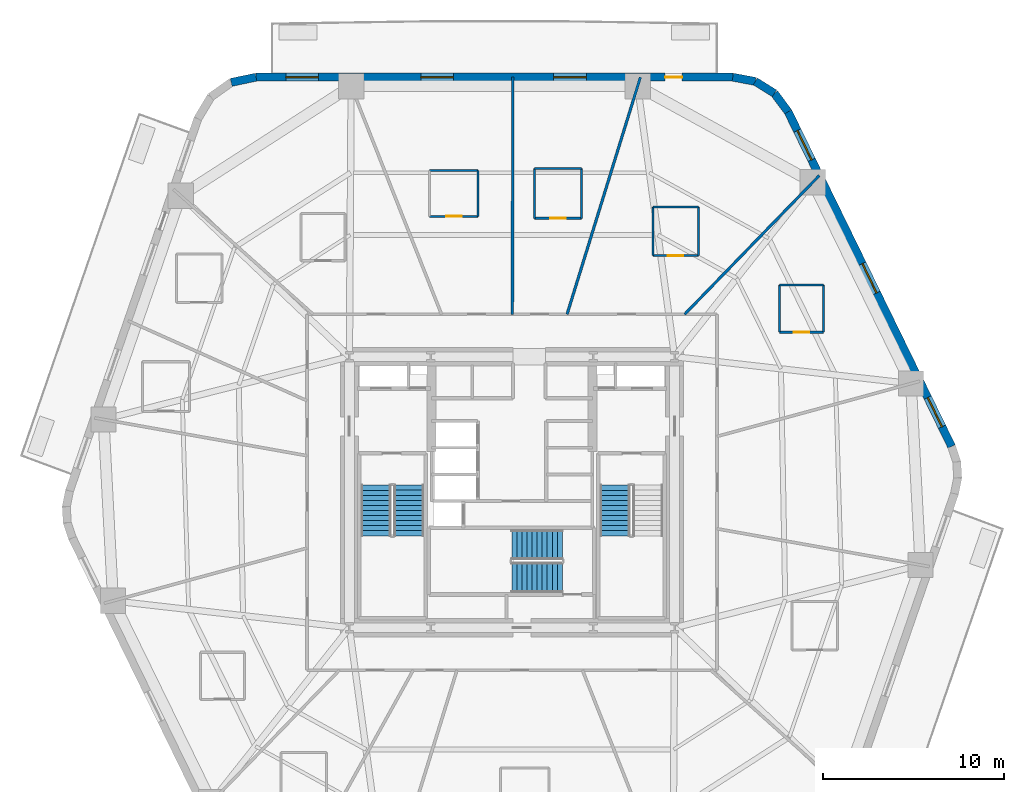
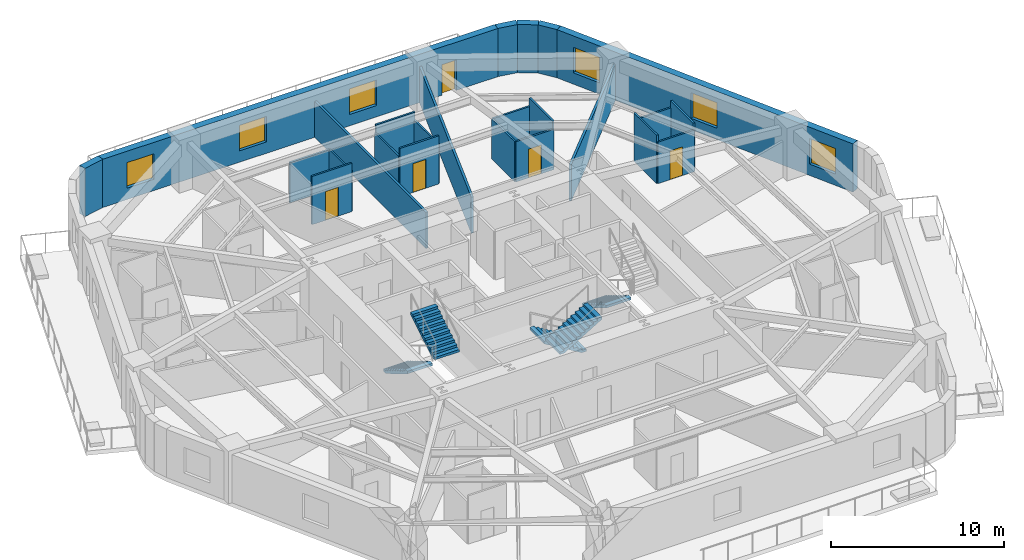
# One storey, part 6 of 10: 24 walls, 6 windows, 5 doors, 5 stair flights, 11 openings, 3 elements without a shape of their own.
"""IFC4 building model written with IfcOpenShell, lengths in metres."""

from ifc_helpers import new_model, si_unit, direction, frame, frame_2d, origin, place, context, subcontext, project, spatial, polyline, rectangle, outline, extrude, material, layer, layer_set, type_object, element, fill, aggregate, save


model = new_model("IFC4")

# Units and contexts
model_context = context("Model", 3, precision=1e-05, world=origin(), true_north=direction((0.0, 1.0)))
body_context = subcontext(model_context, "Body", "Model", "MODEL_VIEW")
ifc_project = project(units=[si_unit("LENGTHUNIT", "METRE"), si_unit("AREAUNIT", "SQUARE_METRE"), si_unit("VOLUMEUNIT", "CUBIC_METRE"), si_unit("PLANEANGLEUNIT", "RADIAN"), si_unit("MASSUNIT", "GRAM", prefix="KILO")], contexts=[model_context])

# Site, building, storey
site_placement = place(None, origin())
site = spatial("IfcSite", under=ifc_project, at=site_placement, CompositionType="ELEMENT")
building_placement = place(site_placement, origin())
building = spatial("IfcBuilding", under=site, at=building_placement, Name="Kilnhurst Terrace Hotel", CompositionType="ELEMENT")
storey_placement = place(building_placement, frame((0.0, 0.0, 74.89990234375)))
storey = spatial("IfcBuildingStorey", under=building, at=storey_placement, Name="L17", CompositionType="ELEMENT", Elevation=74.89990234375)

# Walls
ifc_material_1 = material(Name="Precast concrete C40/50", Category="concrete")
ifc_layer_1 = layer(ifc_material_1, 0.449951171875, Name="Precast concrete C40/50")
ifc_layer_set_1 = layer_set([ifc_layer_1], Name="Precast concrete C40/50")
wall_type_1 = type_object("IfcWallType", Name="WL-BRK-450", PredefinedType="SOLIDWALL", material=ifc_layer_set_1)
wall_1_placement = place(storey_placement, frame((15.28369140625, 21.0625, 0.0), z_axis=(0.0, 0.0, 1.0), x_axis=(-0.597595366449, 0.801797841104, 0.0)))
element("IfcWall", 1, at=wall_1_placement, inside=storey, type_object=wall_type_1, Name="L17 Rounded Corner Brick Wall C4.1", PredefinedType="SOLIDWALL", context=body_context, shape_type="SweptSolid", body=[
    extrude(rectangle(XDim=1.2685546875, YDim=0.449951171875, at=frame_2d((0.63427734375, 0.0))), origin(), (0.0, 0.0, 1.0), 3.400146484375),
])
wall_2_placement = place(storey_placement, frame((14.525634765625, 22.07958984375, 0.0), z_axis=(0.0, 0.0, 1.0), x_axis=(-0.848185203596, 0.529699783275, 0.0)))
element("IfcWall", 2, at=wall_2_placement, inside=storey, type_object=wall_type_1, Name="L17 Rounded Corner Brick Wall C4.2", PredefinedType="SOLIDWALL", context=body_context, shape_type="SweptSolid", body=[
    extrude(rectangle(XDim=1.247314453125, YDim=0.449951171875, at=frame_2d((0.62353515625, 0.0))), origin(), (0.0, 0.0, 1.0), 3.400146484375),
])
wall_3_placement = place(storey_placement, frame((13.4677734375, 22.740234375, 0.0), z_axis=(0.0, 0.0, 1.0), x_axis=(-0.982717174228, 0.185113358451, 0.0)))
element("IfcWall", 3, at=wall_3_placement, inside=storey, type_object=wall_type_1, Name="L17 Rounded Corner Brick Wall C4.3", PredefinedType="SOLIDWALL", context=body_context, shape_type="SweptSolid", body=[
    extrude(rectangle(XDim=1.268798828125, YDim=0.449951171875, at=frame_2d((0.63427734375, 0.0))), origin(), (0.0, 0.0, 1.0), 3.400146484375),
])
wall_4_placement = place(storey_placement, frame((-14.168212890625, 22.97509765625, 0.0), z_axis=(0.0, 0.0, 1.0), x_axis=(-0.978770371074, -0.204959900243, 0.0)))
element("IfcWall", 4, at=wall_4_placement, inside=storey, type_object=wall_type_1, Name="L17 Rounded Corner Brick Wall C5.1", PredefinedType="SOLIDWALL", context=body_context, shape_type="SweptSolid", body=[
    extrude(rectangle(XDim=1.405517578125, YDim=0.449951171875, at=frame_2d((0.70263671875, 0.0))), origin(), (0.0, 0.0, 1.0), 3.400146484375),
])

# Wall, openings, windows
wall_5_placement = place(storey_placement, frame((24.335693359375, 2.532470703125, 0.0), z_axis=(0.0, 0.0, 1.0), x_axis=(-0.438931326393, 0.898520612291, 0.0)))
wall_5 = element("IfcWall", 5, at=wall_5_placement, inside=storey, type_object=wall_type_1, Name="L17 Exterior Brick Facade Wall F3", PredefinedType="SOLIDWALL", context=body_context, shape_type="SweptSolid", body=[
    extrude(rectangle(XDim=20.622802734375, YDim=0.449951171875, at=frame_2d((10.3115234375, 0.0))), origin(), (0.0, 0.0, 1.0), 3.400146484375),
])
opening_1_placement = place(wall_5_placement, frame((9.4619140625, 0.0, 0.800048828125)))
opening_1 = element("IfcOpeningElement", 6, at=opening_1_placement, cuts=wall_5, Name="Opening W-01", PredefinedType="OPENING", context=body_context, shape_type="SweptSolid", body=[
    extrude(rectangle(XDim=1.800048828125, YDim=1.800048828125, at=frame_2d((0.89990234375, 0.89990234375))), frame((0.0, 0.23486328125, 0.0), z_axis=(0.0, -1.0, 0.0), x_axis=(1.0, 0.0, 0.0)), (0.0, 0.0, 1.0), 0.469970703125),
])
opening_2_placement = place(wall_5_placement, frame((17.659912109375, 0.0, 0.800048828125)))
opening_2 = element("IfcOpeningElement", 7, at=opening_2_placement, cuts=wall_5, Name="Opening W-01", PredefinedType="OPENING", context=body_context, shape_type="SweptSolid", body=[
    extrude(rectangle(XDim=1.800048828125, YDim=1.800048828125, at=frame_2d((0.89990234375, 0.89990234375))), frame((0.0, 0.23486328125, 0.0), z_axis=(0.0, -1.0, 0.0), x_axis=(1.0, 0.0, 0.0)), (0.0, 0.0, 1.0), 0.469970703125),
])
opening_3_placement = place(wall_5_placement, frame((1.214111328125, 0.0, 0.800048828125)))
opening_3 = element("IfcOpeningElement", 8, at=opening_3_placement, cuts=wall_5, Name="Opening W-01", PredefinedType="OPENING", context=body_context, shape_type="SweptSolid", body=[
    extrude(rectangle(XDim=1.800048828125, YDim=1.800048828125, at=frame_2d((0.89990234375, 0.89990234375))), frame((0.0, 0.23486328125, 0.0), z_axis=(0.0, -1.0, 0.0), x_axis=(1.0, 0.0, 0.0)), (0.0, 0.0, 1.0), 0.469970703125),
])
ifc_material_2 = material(Name="Thermally Broken Bronze Aluminium Alloy 6063-T6 and Low-E Glass", Category="aluminium")
window_type = type_object("IfcWindowType", Name="WIN-1800X1800", PartitioningType="SINGLE_PANEL", PredefinedType="WINDOW", material=ifc_material_2)
window_1_placement = place(opening_1_placement, origin())
window_1 = element("IfcWindow", 9, at=window_1_placement, inside=storey, type_object=window_type, Name="L17 Deep-Set Masonry Window F3.1", OverallHeight=1.800048828125, OverallWidth=1.800048828125, PartitioningType="SINGLE_PANEL", PredefinedType="WINDOW", context=body_context, shape_type="SweptSolid", body=[
    extrude(rectangle(XDim=1.800048828125, YDim=1.800048828125, at=frame_2d((0.89990234375, 0.89990234375))), frame((0.0, 0.030029296875, 0.0), z_axis=(0.0, -1.0, 0.0), x_axis=(1.0, 0.0, 0.0)), (0.0, 0.0, 1.0), 0.06005859375),
])
fill(opening_1, window_1)
window_2_placement = place(opening_2_placement, origin())
window_2 = element("IfcWindow", 10, at=window_2_placement, inside=storey, type_object=window_type, Name="L17 Deep-Set Masonry Window F3.2", OverallHeight=1.800048828125, OverallWidth=1.800048828125, PartitioningType="SINGLE_PANEL", PredefinedType="WINDOW", context=body_context, shape_type="SweptSolid", body=[
    extrude(rectangle(XDim=1.800048828125, YDim=1.800048828125, at=frame_2d((0.89990234375, 0.89990234375))), frame((0.0, 0.030029296875, 0.0), z_axis=(0.0, -1.0, 0.0), x_axis=(1.0, 0.0, 0.0)), (0.0, 0.0, 1.0), 0.06005859375),
])
fill(opening_2, window_2)
window_3_placement = place(opening_3_placement, origin())
window_3 = element("IfcWindow", 11, at=window_3_placement, inside=storey, type_object=window_type, Name="L17 Deep-Set Masonry Window F3.3", OverallHeight=1.800048828125, OverallWidth=1.800048828125, PartitioningType="SINGLE_PANEL", PredefinedType="WINDOW", context=body_context, shape_type="SweptSolid", body=[
    extrude(rectangle(XDim=1.800048828125, YDim=1.800048828125, at=frame_2d((0.89990234375, 0.89990234375))), frame((0.0, 0.030029296875, 0.0), z_axis=(0.0, -1.0, 0.0), x_axis=(1.0, 0.0, 0.0)), (0.0, 0.0, 1.0), 0.06005859375),
])
fill(opening_3, window_3)

# Wall, openings, door, windows
wall_6_placement = place(storey_placement, frame((12.220947265625, 22.97509765625, 0.0), z_axis=(0.0, 0.0, 1.0), x_axis=(-1.0, 0.0, 0.0)))
wall_6 = element("IfcWall", 12, at=wall_6_placement, inside=storey, type_object=wall_type_1, Name="L17 Exterior Brick Facade Wall F4", PredefinedType="SOLIDWALL", context=body_context, shape_type="SweptSolid", body=[
    extrude(rectangle(XDim=26.38916015625, YDim=0.449951171875, at=frame_2d((13.194580078125, 0.0))), origin(), (0.0, 0.0, 1.0), 3.400146484375),
])
opening_4_placement = place(wall_6_placement, frame((2.799072265625, 0.0, 0.0)))
opening_4 = element("IfcOpeningElement", 13, at=opening_4_placement, cuts=wall_6, Name="Opening BD-950", PredefinedType="OPENING", context=body_context, shape_type="SweptSolid", body=[
    extrude(rectangle(XDim=0.949951171875, YDim=2.14990234375, at=frame_2d((0.47509765625, 1.074951171875))), frame((0.0, 0.23486328125, 0.0), z_axis=(0.0, -1.0, 0.0), x_axis=(1.0, 0.0, 0.0)), (0.0, 0.0, 1.0), 0.469970703125),
])
opening_5_placement = place(wall_6_placement, frame((8.110107421875, 0.0, 0.800048828125)))
opening_5 = element("IfcOpeningElement", 14, at=opening_5_placement, cuts=wall_6, Name="Opening W-01", PredefinedType="OPENING", context=body_context, shape_type="SweptSolid", body=[
    extrude(rectangle(XDim=1.800048828125, YDim=1.800048828125, at=frame_2d((0.89990234375, 0.89990234375))), frame((0.0, 0.23486328125, 0.0), z_axis=(0.0, -1.0, 0.0), x_axis=(1.0, 0.0, 0.0)), (0.0, 0.0, 1.0), 0.469970703125),
])
opening_6_placement = place(wall_6_placement, frame((15.4599609375, 0.0, 0.800048828125)))
opening_6 = element("IfcOpeningElement", 15, at=opening_6_placement, cuts=wall_6, Name="Opening W-01", PredefinedType="OPENING", context=body_context, shape_type="SweptSolid", body=[
    extrude(rectangle(XDim=1.800048828125, YDim=1.800048828125, at=frame_2d((0.89990234375, 0.89990234375))), frame((0.0, 0.23486328125, 0.0), z_axis=(0.0, -1.0, 0.0), x_axis=(1.0, 0.0, 0.0)), (0.0, 0.0, 1.0), 0.469970703125),
])
opening_7_placement = place(wall_6_placement, frame((22.93798828125, 0.0, 0.800048828125)))
opening_7 = element("IfcOpeningElement", 16, at=opening_7_placement, cuts=wall_6, Name="Opening W-01", PredefinedType="OPENING", context=body_context, shape_type="SweptSolid", body=[
    extrude(rectangle(XDim=1.800048828125, YDim=1.800048828125, at=frame_2d((0.89990234375, 0.89990234375))), frame((0.0, 0.23486328125, 0.0), z_axis=(0.0, -1.0, 0.0), x_axis=(1.0, 0.0, 0.0)), (0.0, 0.0, 1.0), 0.469970703125),
])
ifc_material_3 = material(Name="Thermally Broken Bronze Aluminium Alloy 6063-T6 and Laminated Glass", Category="aluminium")
door_type_1 = type_object("IfcDoorType", Name="DR-EXT-BAL-950", OperationType="NOTDEFINED", PredefinedType="DOOR", material=ifc_material_3)
door_1_placement = place(opening_4_placement, origin())
door_1 = element("IfcDoor", 17, at=door_1_placement, inside=storey, type_object=door_type_1, Name="L17 Planted Balcony Door BAL-L2A", OperationType="SINGLE_SWING_RIGHT", OverallHeight=2.14990234375, OverallWidth=0.949951171875, PredefinedType="DOOR", context=body_context, shape_type="SweptSolid", body=[
    extrude(rectangle(XDim=0.949951171875, YDim=2.14990234375, at=frame_2d((0.47509765625, 1.074951171875))), frame((0.0, 0.02490234375, 0.0), z_axis=(0.0, -1.0, 0.0), x_axis=(1.0, 0.0, 0.0)), (0.0, 0.0, 1.0), 0.050048828125),
])
fill(opening_4, door_1)
window_4_placement = place(opening_5_placement, origin())
window_4 = element("IfcWindow", 18, at=window_4_placement, inside=storey, type_object=window_type, Name="L17 Deep-Set Masonry Window F4.1", OverallHeight=1.800048828125, OverallWidth=1.800048828125, PartitioningType="SINGLE_PANEL", PredefinedType="WINDOW", context=body_context, shape_type="SweptSolid", body=[
    extrude(rectangle(XDim=1.800048828125, YDim=1.800048828125, at=frame_2d((0.89990234375, 0.89990234375))), frame((0.0, 0.030029296875, 0.0), z_axis=(0.0, -1.0, 0.0), x_axis=(1.0, 0.0, 0.0)), (0.0, 0.0, 1.0), 0.06005859375),
])
fill(opening_5, window_4)
window_5_placement = place(opening_6_placement, origin())
window_5 = element("IfcWindow", 19, at=window_5_placement, inside=storey, type_object=window_type, Name="L17 Deep-Set Masonry Window F4.2", OverallHeight=1.800048828125, OverallWidth=1.800048828125, PartitioningType="SINGLE_PANEL", PredefinedType="WINDOW", context=body_context, shape_type="SweptSolid", body=[
    extrude(rectangle(XDim=1.800048828125, YDim=1.800048828125, at=frame_2d((0.89990234375, 0.89990234375))), frame((0.0, 0.030029296875, 0.0), z_axis=(0.0, -1.0, 0.0), x_axis=(1.0, 0.0, 0.0)), (0.0, 0.0, 1.0), 0.06005859375),
])
fill(opening_6, window_5)
window_6_placement = place(opening_7_placement, origin())
window_6 = element("IfcWindow", 20, at=window_6_placement, inside=storey, type_object=window_type, Name="L17 Deep-Set Masonry Window F4.3", OverallHeight=1.800048828125, OverallWidth=1.800048828125, PartitioningType="SINGLE_PANEL", PredefinedType="WINDOW", context=body_context, shape_type="SweptSolid", body=[
    extrude(rectangle(XDim=1.800048828125, YDim=1.800048828125, at=frame_2d((0.89990234375, 0.89990234375))), frame((0.0, 0.030029296875, 0.0), z_axis=(0.0, -1.0, 0.0), x_axis=(1.0, 0.0, 0.0)), (0.0, 0.0, 1.0), 0.06005859375),
])
fill(opening_7, window_6)

# Walls
ifc_material_4 = material(Name="STC-58 Acoustic Twin-Frame Guestroom Demising Partition")
ifc_layer_2 = layer(ifc_material_4, 0.14990234375, Name="STC-58 Acoustic Twin-Frame Guestroom Demising Partition")
ifc_layer_set_2 = layer_set([ifc_layer_2], Name="STC-58 Acoustic Twin-Frame Guestroom Demising Partition")
wall_type_2 = type_object("IfcWallType", Name="WL-DEM-150", PredefinedType="PARTITIONING", material=ifc_layer_set_2)
wall_7_placement = place(storey_placement, frame((9.5576171875, 9.85009765625, 0.0), z_axis=(0.0, 0.0, 1.0), x_axis=(0.69638346089, 0.717669893056, 0.0)))
element("IfcWall", 21, at=wall_7_placement, inside=storey, type_object=wall_type_2, Name="L17 Interior Wall WL-L17-DEM-COL02-02-1", PredefinedType="PARTITIONING", context=body_context, shape_type="SweptSolid", body=[
    extrude(rectangle(XDim=10.700927734375, YDim=0.14990234375, at=frame_2d((5.3505859375, 0.0))), origin(), (0.0, 0.0, 1.0), 2.5400390625),
])
wall_8_placement = place(storey_placement, frame((3.047607421875, 9.85009765625, 0.0), z_axis=(0.0, 0.0, 1.0), x_axis=(0.295553992761, 0.955326037206, 0.0)))
element("IfcWall", 22, at=wall_8_placement, inside=storey, type_object=wall_type_2, Name="L17 Interior Wall WL-L17-DEM-COL03-03-1", PredefinedType="PARTITIONING", context=body_context, shape_type="SweptSolid", body=[
    extrude(rectangle(XDim=13.73876953125, YDim=0.14990234375, at=frame_2d((6.869384765625, 0.0))), origin(), (0.0, 0.0, 1.0), 2.5400390625),
])
wall_9_placement = place(storey_placement, frame((0.0205078125, 9.85009765625, 0.0), z_axis=(0.0, 0.0, 1.0), x_axis=(0.002064727742, 0.999997868447, 0.0)))
element("IfcWall", 23, at=wall_9_placement, inside=storey, type_object=wall_type_2, Name="L17 Interior Wall WL-L17-DEM-MID03-04-1", PredefinedType="PARTITIONING", context=body_context, shape_type="SweptSolid", body=[
    extrude(rectangle(XDim=13.125, YDim=0.14990234375, at=frame_2d((6.5625, 0.0))), origin(), (0.0, 0.0, 1.0), 2.5400390625),
])

# Wall, opening, door
ifc_material_5 = material(Name="120 mm Moisture-Resistant Tile-Backed Bathroom Partition")
ifc_layer_3 = layer(ifc_material_5, 0.1201171875, Name="120 mm Moisture-Resistant Tile-Backed Bathroom Partition")
ifc_layer_set_3 = layer_set([ifc_layer_3], Name="120 mm Moisture-Resistant Tile-Backed Bathroom Partition")
wall_type_3 = type_object("IfcWallType", Name="WL-PART-120", PredefinedType="PARTITIONING", material=ifc_layer_set_3)
wall_10_placement = place(storey_placement, frame((14.803955078125, 8.860107421875, 0.0), z_axis=(0.0, 0.0, 1.0), x_axis=(1.0, 0.0, 0.0)))
wall_10 = element("IfcWall", 24, at=wall_10_placement, inside=storey, type_object=wall_type_3, Name="L17 Interior Wall WL-L17-BTH-01-1", PredefinedType="PARTITIONING", context=body_context, shape_type="SweptSolid", body=[
    extrude(rectangle(XDim=2.43994140625, YDim=0.1201171875, at=frame_2d((1.219970703125, 0.0))), origin(), (0.0, 0.0, 1.0), 2.926513671875),
])
opening_8_placement = place(wall_10_placement, frame((0.794921875, 0.0, 0.0)))
opening_8 = element("IfcOpeningElement", 25, at=opening_8_placement, cuts=wall_10, Name="Opening D-08A", PredefinedType="OPENING", context=body_context, shape_type="SweptSolid", body=[
    extrude(rectangle(XDim=0.85009765625, YDim=2.030029296875, at=frame_2d((0.425048828125, 1.01513671875))), frame((0.0, 0.070068359375, 0.0), z_axis=(0.0, -1.0, 0.0), x_axis=(1.0, 0.0, 0.0)), (0.0, 0.0, 1.0), 0.14013671875),
])
ifc_material_6 = material(Name="Moisture-Resistant Lacquered En-suite Bathroom Door")
door_type_2 = type_object("IfcDoorType", Name="DR-INT-850", OperationType="NOTDEFINED", PredefinedType="DOOR", material=ifc_material_6)
door_2_placement = place(opening_8_placement, origin())
door_2 = element("IfcDoor", 26, at=door_2_placement, inside=storey, type_object=door_type_2, Name="L17 En-suite Bathroom Door 1", OperationType="SINGLE_SWING_RIGHT", OverallHeight=2.030029296875, OverallWidth=0.85009765625, PredefinedType="DOOR", context=body_context, shape_type="SweptSolid", body=[
    extrude(rectangle(XDim=0.85009765625, YDim=2.030029296875, at=frame_2d((0.425048828125, 1.01513671875))), frame((0.0, 0.02490234375, 0.0), z_axis=(0.0, -1.0, 0.0), x_axis=(1.0, 0.0, 0.0)), (0.0, 0.0, 1.0), 0.050048828125),
])
fill(opening_8, door_2)

# Walls
wall_11_placement = place(storey_placement, frame((17.243896484375, 8.860107421875, 0.0), z_axis=(0.0, 0.0, 1.0), x_axis=(0.0, 1.0, 0.0)))
element("IfcWall", 27, at=wall_11_placement, inside=storey, type_object=wall_type_3, Name="L17 Interior Wall WL-L17-BTH-01-2", PredefinedType="PARTITIONING", context=body_context, shape_type="SweptSolid", body=[
    extrude(rectangle(XDim=2.60986328125, YDim=0.1201171875, at=frame_2d((1.304931640625, 0.0))), origin(), (0.0, 0.0, 1.0), 3.400146484375),
])
wall_12_placement = place(storey_placement, frame((17.243896484375, 11.469970703125, 0.0), z_axis=(0.0, 0.0, 1.0), x_axis=(-1.0, 0.0, 0.0)))
element("IfcWall", 28, at=wall_12_placement, inside=storey, type_object=wall_type_3, Name="L17 Interior Wall WL-L17-BTH-01-3", PredefinedType="PARTITIONING", context=body_context, shape_type="SweptSolid", body=[
    extrude(rectangle(XDim=2.43994140625, YDim=0.1201171875, at=frame_2d((1.219970703125, 0.0))), origin(), (0.0, 0.0, 1.0), 2.926513671875),
])
wall_13_placement = place(storey_placement, frame((14.803955078125, 11.469970703125, 0.0), z_axis=(0.0, 0.0, 1.0), x_axis=(0.0, -1.0, 0.0)))
element("IfcWall", 29, at=wall_13_placement, inside=storey, type_object=wall_type_3, Name="L17 Interior Wall WL-L17-BTH-01-4", PredefinedType="PARTITIONING", context=body_context, shape_type="SweptSolid", body=[
    extrude(rectangle(XDim=2.60986328125, YDim=0.1201171875, at=frame_2d((1.304931640625, 0.0))), origin(), (0.0, 0.0, 1.0), 3.400146484375),
])

# Wall, opening, door
wall_14_placement = place(storey_placement, frame((7.798095703125, 13.10107421875, 0.0), z_axis=(0.0, 0.0, 1.0), x_axis=(1.0, 0.0, 0.0)))
wall_14 = element("IfcWall", 30, at=wall_14_placement, inside=storey, type_object=wall_type_3, Name="L17 Interior Wall WL-L17-BTH-02-1", PredefinedType="PARTITIONING", context=body_context, shape_type="SweptSolid", body=[
    extrude(rectangle(XDim=2.52001953125, YDim=0.1201171875, at=frame_2d((1.260009765625, 0.0))), origin(), (0.0, 0.0, 1.0), 2.840087890625),
])
opening_9_placement = place(wall_14_placement, frame((0.8349609375, 0.0, 0.0)))
opening_9 = element("IfcOpeningElement", 31, at=opening_9_placement, cuts=wall_14, Name="Opening D-08A", PredefinedType="OPENING", context=body_context, shape_type="SweptSolid", body=[
    extrude(rectangle(XDim=0.85009765625, YDim=2.030029296875, at=frame_2d((0.425048828125, 1.01513671875))), frame((0.0, 0.070068359375, 0.0), z_axis=(0.0, -1.0, 0.0), x_axis=(1.0, 0.0, 0.0)), (0.0, 0.0, 1.0), 0.14013671875),
])
door_3_placement = place(opening_9_placement, origin())
door_3 = element("IfcDoor", 32, at=door_3_placement, inside=storey, type_object=door_type_2, Name="L17 En-suite Bathroom Door 2", OperationType="SINGLE_SWING_LEFT", OverallHeight=2.030029296875, OverallWidth=0.85009765625, PredefinedType="DOOR", context=body_context, shape_type="SweptSolid", body=[
    extrude(rectangle(XDim=0.85009765625, YDim=2.030029296875, at=frame_2d((0.425048828125, 1.01513671875))), frame((0.0, 0.02490234375, 0.0), z_axis=(0.0, -1.0, 0.0), x_axis=(1.0, 0.0, 0.0)), (0.0, 0.0, 1.0), 0.050048828125),
])
fill(opening_9, door_3)

# Walls
wall_15_placement = place(storey_placement, frame((10.318115234375, 13.10107421875, 0.0), z_axis=(0.0, 0.0, 1.0), x_axis=(0.0, 1.0, 0.0)))
element("IfcWall", 33, at=wall_15_placement, inside=storey, type_object=wall_type_3, Name="L17 Interior Wall WL-L17-BTH-02-2", PredefinedType="PARTITIONING", context=body_context, shape_type="SweptSolid", body=[
    extrude(rectangle(XDim=2.679931640625, YDim=0.1201171875, at=frame_2d((1.33984375, 0.0))), origin(), (0.0, 0.0, 1.0), 3.400146484375),
])
wall_16_placement = place(storey_placement, frame((10.318115234375, 15.781005859375, 0.0), z_axis=(0.0, 0.0, 1.0), x_axis=(-1.0, 0.0, 0.0)))
element("IfcWall", 34, at=wall_16_placement, inside=storey, type_object=wall_type_3, Name="L17 Interior Wall WL-L17-BTH-02-3", PredefinedType="PARTITIONING", context=body_context, shape_type="SweptSolid", body=[
    extrude(rectangle(XDim=2.52001953125, YDim=0.1201171875, at=frame_2d((1.260009765625, 0.0))), origin(), (0.0, 0.0, 1.0), 2.840087890625),
])
wall_17_placement = place(storey_placement, frame((7.798095703125, 15.781005859375, 0.0), z_axis=(0.0, 0.0, 1.0), x_axis=(0.0, -1.0, 0.0)))
element("IfcWall", 35, at=wall_17_placement, inside=storey, type_object=wall_type_3, Name="L17 Interior Wall WL-L17-BTH-02-4", PredefinedType="PARTITIONING", context=body_context, shape_type="SweptSolid", body=[
    extrude(rectangle(XDim=2.679931640625, YDim=0.1201171875, at=frame_2d((1.33984375, 0.0))), origin(), (0.0, 0.0, 1.0), 2.840087890625),
])

# Wall, opening, door
wall_18_placement = place(storey_placement, frame((1.2509765625, 15.162109375, 0.0), z_axis=(0.0, 0.0, 1.0), x_axis=(1.0, 0.0, 0.0)))
wall_18 = element("IfcWall", 36, at=wall_18_placement, inside=storey, type_object=wall_type_3, Name="L17 Interior Wall WL-L17-BTH-03-1", PredefinedType="PARTITIONING", context=body_context, shape_type="SweptSolid", body=[
    extrude(rectangle(XDim=2.60009765625, YDim=0.1201171875, at=frame_2d((1.300048828125, 0.0))), origin(), (0.0, 0.0, 1.0), 3.400146484375),
])
opening_10_placement = place(wall_18_placement, frame((0.875, 0.0, 0.0)))
opening_10 = element("IfcOpeningElement", 37, at=opening_10_placement, cuts=wall_18, Name="Opening D-08A", PredefinedType="OPENING", context=body_context, shape_type="SweptSolid", body=[
    extrude(rectangle(XDim=0.85009765625, YDim=2.030029296875, at=frame_2d((0.425048828125, 1.01513671875))), frame((0.0, 0.070068359375, 0.0), z_axis=(0.0, -1.0, 0.0), x_axis=(1.0, 0.0, 0.0)), (0.0, 0.0, 1.0), 0.14013671875),
])
door_4_placement = place(opening_10_placement, origin())
door_4 = element("IfcDoor", 38, at=door_4_placement, inside=storey, type_object=door_type_2, Name="L17 En-suite Bathroom Door 3", OperationType="SINGLE_SWING_RIGHT", OverallHeight=2.030029296875, OverallWidth=0.85009765625, PredefinedType="DOOR", context=body_context, shape_type="SweptSolid", body=[
    extrude(rectangle(XDim=0.85009765625, YDim=2.030029296875, at=frame_2d((0.425048828125, 1.01513671875))), frame((0.0, 0.02490234375, 0.0), z_axis=(0.0, -1.0, 0.0), x_axis=(1.0, 0.0, 0.0)), (0.0, 0.0, 1.0), 0.050048828125),
])
fill(opening_10, door_4)

# Walls
wall_19_placement = place(storey_placement, frame((3.85107421875, 15.162109375, 0.0), z_axis=(0.0, 0.0, 1.0), x_axis=(0.0, 1.0, 0.0)))
element("IfcWall", 39, at=wall_19_placement, inside=storey, type_object=wall_type_3, Name="L17 Interior Wall WL-L17-BTH-03-2", PredefinedType="PARTITIONING", context=body_context, shape_type="SweptSolid", body=[
    extrude(rectangle(XDim=2.75, YDim=0.1201171875, at=frame_2d((1.375, 0.0))), origin(), (0.0, 0.0, 1.0), 2.840576171875),
])
wall_20_placement = place(storey_placement, frame((3.85107421875, 17.912109375, 0.0), z_axis=(0.0, 0.0, 1.0), x_axis=(-1.0, 0.0, 0.0)))
element("IfcWall", 40, at=wall_20_placement, inside=storey, type_object=wall_type_3, Name="L17 Interior Wall WL-L17-BTH-03-3", PredefinedType="PARTITIONING", context=body_context, shape_type="SweptSolid", body=[
    extrude(rectangle(XDim=2.60009765625, YDim=0.1201171875, at=frame_2d((1.300048828125, 0.0))), origin(), (0.0, 0.0, 1.0), 3.400146484375),
])
wall_21_placement = place(storey_placement, frame((1.2509765625, 17.912109375, 0.0), z_axis=(0.0, 0.0, 1.0), x_axis=(0.0, -1.0, 0.0)))
element("IfcWall", 41, at=wall_21_placement, inside=storey, type_object=wall_type_3, Name="L17 Interior Wall WL-L17-BTH-03-4", PredefinedType="PARTITIONING", context=body_context, shape_type="SweptSolid", body=[
    extrude(rectangle(XDim=2.75, YDim=0.1201171875, at=frame_2d((1.375, 0.0))), origin(), (0.0, 0.0, 1.0), 2.840576171875),
])

# Wall, opening, door
wall_22_placement = place(storey_placement, frame((-4.55908203125, 15.26708984375, 0.0), z_axis=(0.0, 0.0, 1.0), x_axis=(1.0, 0.0, 0.0)))
wall_22 = element("IfcWall", 42, at=wall_22_placement, inside=storey, type_object=wall_type_3, Name="L17 Interior Wall WL-L17-BTH-04-1", PredefinedType="PARTITIONING", context=body_context, shape_type="SweptSolid", body=[
    extrude(rectangle(XDim=2.68017578125, YDim=0.1201171875, at=frame_2d((1.340087890625, 0.0))), origin(), (0.0, 0.0, 1.0), 3.400146484375),
])
opening_11_placement = place(wall_22_placement, frame((0.9150390625, 0.0, 0.0)))
opening_11 = element("IfcOpeningElement", 43, at=opening_11_placement, cuts=wall_22, Name="Opening D-08A", PredefinedType="OPENING", context=body_context, shape_type="SweptSolid", body=[
    extrude(rectangle(XDim=0.85009765625, YDim=2.030029296875, at=frame_2d((0.425048828125, 1.01513671875))), frame((0.0, 0.070068359375, 0.0), z_axis=(0.0, -1.0, 0.0), x_axis=(1.0, 0.0, 0.0)), (0.0, 0.0, 1.0), 0.14013671875),
])
door_5_placement = place(opening_11_placement, origin())
door_5 = element("IfcDoor", 44, at=door_5_placement, inside=storey, type_object=door_type_2, Name="L17 En-suite Bathroom Door 4", OperationType="SINGLE_SWING_LEFT", OverallHeight=2.030029296875, OverallWidth=0.85009765625, PredefinedType="DOOR", context=body_context, shape_type="SweptSolid", body=[
    extrude(rectangle(XDim=0.85009765625, YDim=2.030029296875, at=frame_2d((0.425048828125, 1.01513671875))), frame((0.0, 0.02490234375, 0.0), z_axis=(0.0, -1.0, 0.0), x_axis=(1.0, 0.0, 0.0)), (0.0, 0.0, 1.0), 0.050048828125),
])
fill(opening_11, door_5)

# Walls
wall_23_placement = place(storey_placement, frame((-1.87890625, 15.26708984375, 0.0), z_axis=(0.0, 0.0, 1.0), x_axis=(0.0, 1.0, 0.0)))
element("IfcWall", 45, at=wall_23_placement, inside=storey, type_object=wall_type_3, Name="L17 Interior Wall WL-L17-BTH-04-2", PredefinedType="PARTITIONING", context=body_context, shape_type="SweptSolid", body=[
    extrude(rectangle(XDim=2.539794921875, YDim=0.1201171875, at=frame_2d((1.27001953125, 0.0))), origin(), (0.0, 0.0, 1.0), 2.840576171875),
])
wall_24_placement = place(storey_placement, frame((-1.87890625, 17.806884765625, 0.0), z_axis=(0.0, 0.0, 1.0), x_axis=(-1.0, 0.0, 0.0)))
element("IfcWall", 46, at=wall_24_placement, inside=storey, type_object=wall_type_3, Name="L17 Interior Wall WL-L17-BTH-04-3", PredefinedType="PARTITIONING", context=body_context, shape_type="SweptSolid", body=[
    extrude(rectangle(XDim=2.68017578125, YDim=0.1201171875, at=frame_2d((1.340087890625, 0.0))), origin(), (0.0, 0.0, 1.0), 2.840576171875),
])

# Stair, stair flights
ifc_material_7 = material(Name="Concrete C50/60", Category="concrete")
stair_type = type_object("IfcStairType", Name="STR-CORE-1660", PredefinedType="HALF_TURN_STAIR", material=ifc_material_7)
stair_1_placement = place(storey_placement, origin())
stair_1 = element("IfcStair", 47, at=stair_1_placement, inside=storey, type_object=stair_type, Name="L17 ST-1", PredefinedType="HALF_TURN_STAIR")
stair_flight_type = type_object("IfcStairFlightType", Name="FLT-RC-1660", PredefinedType="STRAIGHT", material=ifc_material_7)
stair_flight_1_placement = place(storey_placement, frame((-7.52001953125, 0.389892578125, 0.0), z_axis=(0.0, 0.0, 1.0), x_axis=(0.0, -1.0, 0.0)))
stair_flight_1 = element("IfcStairFlight", 48, at=stair_flight_1_placement, type_object=stair_flight_type, Name="ST-1 flight 1", NumberOfRisers=11, NumberOfTreads=10, PredefinedType="STRAIGHT", RiserHeight=0.168181818, TreadLength=0.28, context=body_context, shape_type="SweptSolid", body=[
    extrude(outline(polyline([(0.0, 0.0), (0.0, 0.168212890625), (0.280029296875, 0.168212890625), (0.280029296875, 0.33642578125), (0.56005859375, 0.33642578125), (0.56005859375, 0.504638671875), (0.840087890625, 0.504638671875), (0.840087890625, 0.672607421875), (1.1201171875, 0.672607421875), (1.1201171875, 0.8408203125), (1.39990234375, 0.8408203125), (1.39990234375, 1.009033203125), (1.679931640625, 1.009033203125), (1.679931640625, 1.17724609375), (1.9599609375, 1.17724609375), (1.9599609375, 1.345458984375), (2.239990234375, 1.345458984375), (2.239990234375, 1.513671875), (2.52001953125, 1.513671875), (2.52001953125, 1.681884765625), (2.800048828125, 1.681884765625), (2.800048828125, 1.85009765625), (2.800048828125, 1.5068359375), (0.291015625, 0.0), (0.0, 0.0)])), frame((0.0, 0.830078125, 0.0), z_axis=(0.0, -1.0, 0.0), x_axis=(1.0, 0.0, 0.0)), (0.0, 0.0, 1.0), 1.659912109375),
])
stair_flight_2_placement = place(storey_placement, frame((-5.7099609375, -2.409912109375, 1.85009765625), z_axis=(0.0, 0.0, 1.0), x_axis=(0.0, 1.0, 0.0)))
stair_flight_2 = element("IfcStairFlight", 49, at=stair_flight_2_placement, type_object=stair_flight_type, Name="ST-1 flight 2", NumberOfRisers=11, NumberOfTreads=10, PredefinedType="STRAIGHT", RiserHeight=0.168181818, TreadLength=0.28, context=body_context, shape_type="SweptSolid", body=[
    extrude(outline(polyline([(0.0, 0.0), (0.0, 0.168212890625), (0.280029296875, 0.168212890625), (0.280029296875, 0.33642578125), (0.56005859375, 0.33642578125), (0.56005859375, 0.504638671875), (0.840087890625, 0.504638671875), (0.840087890625, 0.672607421875), (1.1201171875, 0.672607421875), (1.1201171875, 0.8408203125), (1.39990234375, 0.8408203125), (1.39990234375, 1.009033203125), (1.679931640625, 1.009033203125), (1.679931640625, 1.17724609375), (1.9599609375, 1.17724609375), (1.9599609375, 1.345458984375), (2.239990234375, 1.345458984375), (2.239990234375, 1.513671875), (2.52001953125, 1.513671875), (2.52001953125, 1.681884765625), (2.800048828125, 1.681884765625), (2.800048828125, 1.85009765625), (2.800048828125, 1.5068359375), (0.291015625, 0.0), (0.0, 0.0)])), frame((0.0, 0.830078125, 0.0), z_axis=(0.0, -1.0, 0.0), x_axis=(1.0, 0.0, 0.0)), (0.0, 0.0, 1.0), 1.659912109375),
])
aggregate(stair_1, [stair_flight_1, stair_flight_2])

# Stair, stair flight
stair_2_placement = place(storey_placement, origin())
stair_2 = element("IfcStair", 50, at=stair_2_placement, inside=storey, type_object=stair_type, Name="L17 ST-2", PredefinedType="HALF_TURN_STAIR")
stair_flight_3_placement = place(storey_placement, frame((5.7099609375, 0.389892578125, 0.0), z_axis=(0.0, 0.0, 1.0), x_axis=(0.0, -1.0, 0.0)))
stair_flight_3 = element("IfcStairFlight", 51, at=stair_flight_3_placement, type_object=stair_flight_type, Name="ST-2 flight 1", NumberOfRisers=11, NumberOfTreads=10, PredefinedType="STRAIGHT", RiserHeight=0.168181818, TreadLength=0.28, context=body_context, shape_type="SweptSolid", body=[
    extrude(outline(polyline([(0.0, 0.0), (0.0, 0.168212890625), (0.280029296875, 0.168212890625), (0.280029296875, 0.33642578125), (0.56005859375, 0.33642578125), (0.56005859375, 0.504638671875), (0.840087890625, 0.504638671875), (0.840087890625, 0.672607421875), (1.1201171875, 0.672607421875), (1.1201171875, 0.8408203125), (1.39990234375, 0.8408203125), (1.39990234375, 1.009033203125), (1.679931640625, 1.009033203125), (1.679931640625, 1.17724609375), (1.9599609375, 1.17724609375), (1.9599609375, 1.345458984375), (2.239990234375, 1.345458984375), (2.239990234375, 1.513671875), (2.52001953125, 1.513671875), (2.52001953125, 1.681884765625), (2.800048828125, 1.681884765625), (2.800048828125, 1.85009765625), (2.800048828125, 1.5068359375), (0.291015625, 0.0), (0.0, 0.0)])), frame((0.0, 0.830078125, 0.0), z_axis=(0.0, -1.0, 0.0), x_axis=(1.0, 0.0, 0.0)), (0.0, 0.0, 1.0), 1.659912109375),
])
aggregate(stair_2, [stair_flight_3])

# Stair, stair flights
stair_3_placement = place(storey_placement, origin())
stair_3 = element("IfcStair", 52, at=stair_3_placement, inside=storey, type_object=stair_type, Name="L17 ST-3", PredefinedType="HALF_TURN_STAIR")
stair_flight_4_placement = place(storey_placement, frame((2.7900390625, -2.909912109375, 0.0), z_axis=(0.0, 0.0, 1.0), x_axis=(-1.0, 0.0, 0.0)))
stair_flight_4 = element("IfcStairFlight", 53, at=stair_flight_4_placement, type_object=stair_flight_type, Name="ST-3 flight 1", NumberOfRisers=11, NumberOfTreads=10, PredefinedType="STRAIGHT", RiserHeight=0.168181818, TreadLength=0.28, context=body_context, shape_type="SweptSolid", body=[
    extrude(outline(polyline([(0.0, 0.0), (0.0, 0.168212890625), (0.280029296875, 0.168212890625), (0.280029296875, 0.33642578125), (0.56005859375, 0.33642578125), (0.56005859375, 0.504638671875), (0.840087890625, 0.504638671875), (0.840087890625, 0.672607421875), (1.1201171875, 0.672607421875), (1.1201171875, 0.8408203125), (1.39990234375, 0.8408203125), (1.39990234375, 1.009033203125), (1.679931640625, 1.009033203125), (1.679931640625, 1.17724609375), (1.9599609375, 1.17724609375), (1.9599609375, 1.345458984375), (2.239990234375, 1.345458984375), (2.239990234375, 1.513671875), (2.52001953125, 1.513671875), (2.52001953125, 1.681884765625), (2.800048828125, 1.681884765625), (2.800048828125, 1.85009765625), (2.800048828125, 1.5068359375), (0.291015625, 0.0), (0.0, 0.0)])), frame((0.0, 0.830078125, 0.0), z_axis=(0.0, -1.0, 0.0), x_axis=(1.0, 0.0, 0.0)), (0.0, 0.0, 1.0), 1.659912109375),
])
stair_flight_5_placement = place(storey_placement, frame((-0.010009765625, -4.719970703125, 1.85009765625), z_axis=(0.0, 0.0, 1.0), x_axis=(1.0, 0.0, 0.0)))
stair_flight_5 = element("IfcStairFlight", 54, at=stair_flight_5_placement, type_object=stair_flight_type, Name="ST-3 flight 2", NumberOfRisers=11, NumberOfTreads=10, PredefinedType="STRAIGHT", RiserHeight=0.168181818, TreadLength=0.28, context=body_context, shape_type="SweptSolid", body=[
    extrude(outline(polyline([(0.0, 0.0), (0.0, 0.168212890625), (0.280029296875, 0.168212890625), (0.280029296875, 0.33642578125), (0.56005859375, 0.33642578125), (0.56005859375, 0.504638671875), (0.840087890625, 0.504638671875), (0.840087890625, 0.672607421875), (1.1201171875, 0.672607421875), (1.1201171875, 0.8408203125), (1.39990234375, 0.8408203125), (1.39990234375, 1.009033203125), (1.679931640625, 1.009033203125), (1.679931640625, 1.17724609375), (1.9599609375, 1.17724609375), (1.9599609375, 1.345458984375), (2.239990234375, 1.345458984375), (2.239990234375, 1.513671875), (2.52001953125, 1.513671875), (2.52001953125, 1.681884765625), (2.800048828125, 1.681884765625), (2.800048828125, 1.85009765625), (2.800048828125, 1.5068359375), (0.291015625, 0.0), (0.0, 0.0)])), frame((0.0, 0.830078125, 0.0), z_axis=(0.0, -1.0, 0.0), x_axis=(1.0, 0.0, 0.0)), (0.0, 0.0, 1.0), 1.659912109375),
])
aggregate(stair_3, [stair_flight_4, stair_flight_5])

save(model, "model.ifc")
